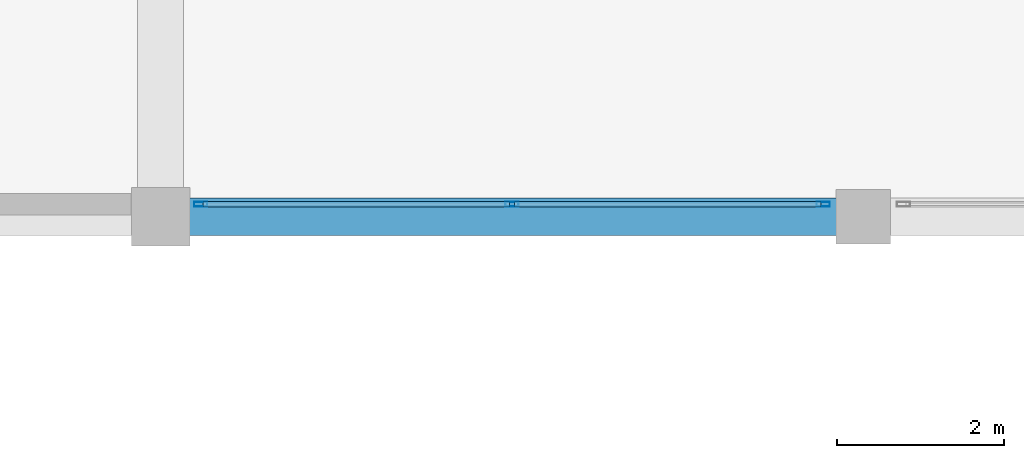
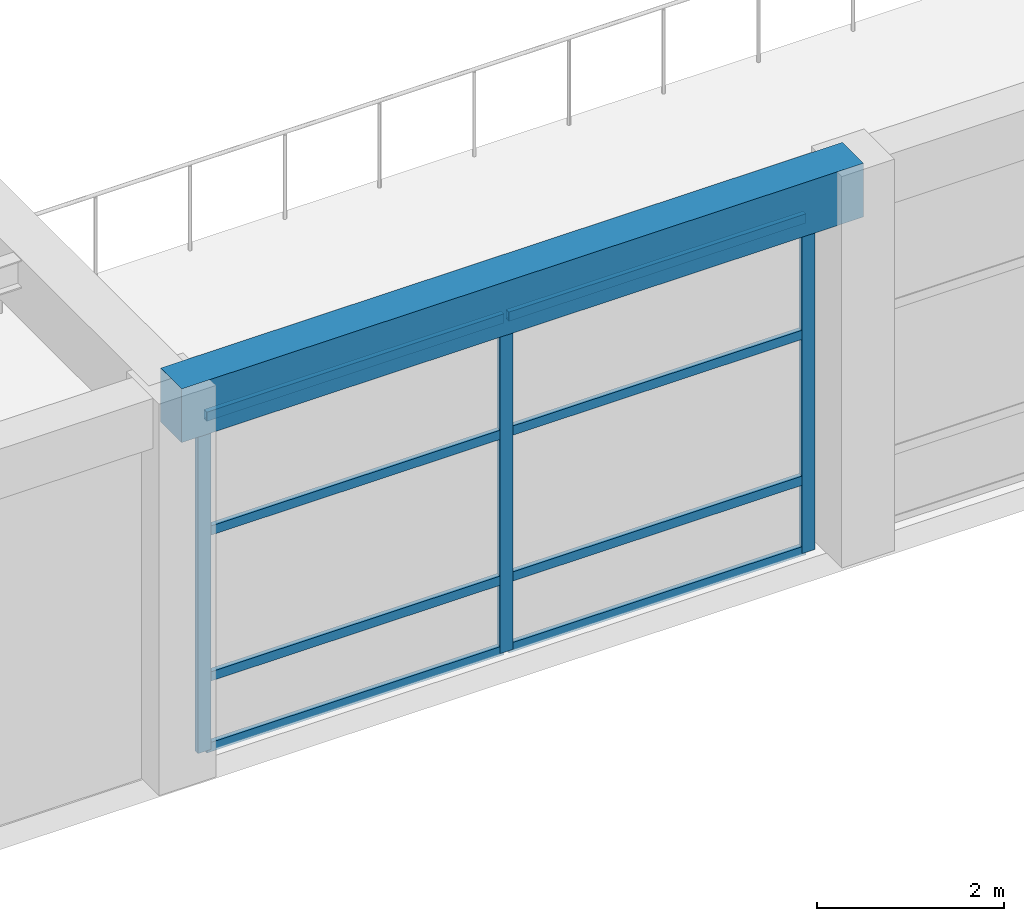
# One storey, part 23 of 95: 11 members, 1 beam, 1 element without a shape of its own.
"""IFC4 building model written with IfcOpenShell, lengths in metres."""

from ifc_helpers import new_model, si_unit, direction, frame, origin, origin_2d, place, context, subcontext, project, spatial, rectangle, hollow_rectangle, extrude, material, material_profile, profile_set, type_object, element, aggregate, save


model = new_model("IFC4")

# Units and contexts
model_context = context("Model", 3, precision=1e-05, world=origin(), true_north=direction((0.0, 1.0)))
body_context = subcontext(model_context, "Body", "Model", "MODEL_VIEW")
ifc_project = project(units=[si_unit("LENGTHUNIT", "METRE"), si_unit("AREAUNIT", "SQUARE_METRE"), si_unit("VOLUMEUNIT", "CUBIC_METRE"), si_unit("PLANEANGLEUNIT", "RADIAN"), si_unit("MASSUNIT", "GRAM", prefix="KILO")], contexts=[model_context])

# Site, building, storey
site_placement = place(None, origin())
site = spatial("IfcSite", under=ifc_project, at=site_placement, CompositionType="ELEMENT")
building_placement = place(site_placement, origin())
building = spatial("IfcBuilding", under=site, at=building_placement, Name="Almacenes y Pasaje Nevantli", CompositionType="ELEMENT")
storey_placement = place(building_placement, frame((0.0, 0.0, 11.39990234375)))
storey = spatial("IfcBuildingStorey", under=building, at=storey_placement, Name="L03", CompositionType="ELEMENT", Elevation=11.39990234375)

# Beam
ifc_material_1 = material(Name="Concrete C35/45", Category="concrete")
ifc_material_profile_1 = material_profile(ifc_material_1, rectangle(XDim=0.449951171875, YDim=0.699951171875, at=origin_2d()), Name="RC-BM-450x700")
ifc_profile_set_1 = profile_set([ifc_material_profile_1], Name="Concrete C35/45")
beam_type = type_object("IfcBeamType", Name="BM-RC-450x700", PredefinedType="SPANDREL", material=ifc_profile_set_1)
beam_placement = place(storey_placement, frame((67.199951171875, 0.0, 4.75), z_axis=(1.0, 0.0, 0.0), x_axis=(0.0, 1.0, 0.0)))
element("IfcBeam", 1, at=beam_placement, inside=storey, type_object=beam_type, Name="L03 East-West Reinforced Concrete Beam #2242", PredefinedType="SPANDREL", context=body_context, shape_type="SweptSolid", body=[
    extrude(rectangle(XDim=0.449951171875, YDim=0.699951171875, at=origin_2d()), origin(), (0.0, 0.0, 1.0), 8.400146484375),
])

# Curtain wall, members
ifc_material_2 = material(Name="Thermally Broken Aluminium and Low-E Glass", Category="aluminium")
curtain_wall_type = type_object("IfcCurtainWallType", Name="CW-STF-ARCADE", PredefinedType="USERDEFINED", material=ifc_material_2)
curtain_wall_placement = place(storey_placement, origin())
curtain_wall = element("IfcCurtainWall", 2, at=curtain_wall_placement, inside=storey, type_object=curtain_wall_type, Name="L03 South Arcade Portal Curtain Wall Bay 9", ObjectType="STOREFRONT GLAZING", PredefinedType="USERDEFINED")
ifc_material_3 = material(Name="Thermally Broken Anodized Aluminium", Category="aluminium")
ifc_material_profile_2 = material_profile(ifc_material_3, hollow_rectangle(XDim=0.06005859375, YDim=0.159912109375, WallThickness=0.00390625, at=origin_2d()), Name="ALU-MUL-60x160")
ifc_profile_set_2 = profile_set([ifc_material_profile_2], Name="Thermally Broken Anodized Aluminium")
member_type_1 = type_object("IfcMemberType", Name="CW-MUL-180", PredefinedType="MULLION", material=ifc_profile_set_2)
member_1_placement = place(storey_placement, frame((67.679931640625, 0.14990234375, 0.0), z_axis=(0.0, 0.0, 1.0), x_axis=(0.0, 1.0, 0.0)))
member_1 = element("IfcMember", 3, at=member_1_placement, type_object=member_type_1, Name="CW-L03-045 mullion 1", PredefinedType="MULLION", context=body_context, shape_type="SweptSolid", body=[
    extrude(hollow_rectangle(XDim=0.06005859375, YDim=0.159912109375, WallThickness=0.00390625, at=origin_2d()), origin(), (0.0, 0.0, 1.0), 4.380126953125),
])
member_2_placement = place(storey_placement, frame((71.39990234375, 0.14990234375, 0.0), z_axis=(0.0, 0.0, 1.0), x_axis=(0.0, 1.0, 0.0)))
member_2 = element("IfcMember", 4, at=member_2_placement, type_object=member_type_1, Name="CW-L03-045 mullion 2", PredefinedType="MULLION", context=body_context, shape_type="SweptSolid", body=[
    extrude(hollow_rectangle(XDim=0.06005859375, YDim=0.159912109375, WallThickness=0.00390625, at=origin_2d()), origin(), (0.0, 0.0, 1.0), 4.380126953125),
])
member_3_placement = place(storey_placement, frame((75.1201171875, 0.14990234375, 0.0), z_axis=(0.0, 0.0, 1.0), x_axis=(0.0, 1.0, 0.0)))
member_3 = element("IfcMember", 5, at=member_3_placement, type_object=member_type_1, Name="CW-L03-045 mullion 3", PredefinedType="MULLION", context=body_context, shape_type="SweptSolid", body=[
    extrude(hollow_rectangle(XDim=0.06005859375, YDim=0.159912109375, WallThickness=0.00390625, at=origin_2d()), origin(), (0.0, 0.0, 1.0), 4.380126953125),
])
ifc_material_4 = material(Name="Thermally Broken Anodized Aluminium", Category="aluminium")
ifc_material_profile_3 = material_profile(ifc_material_4, hollow_rectangle(XDim=0.06005859375, YDim=0.1201171875, WallThickness=0.00341796875, at=origin_2d()), Name="ALU-TRN-60x120")
ifc_profile_set_3 = profile_set([ifc_material_profile_3], Name="Thermally Broken Anodized Aluminium")
member_type_2 = type_object("IfcMemberType", Name="CW-TRN-130", PredefinedType="USERDEFINED", material=ifc_profile_set_3)
member_4_placement = place(storey_placement, frame((67.7099609375, 0.14990234375, 0.030029296875), z_axis=(1.0, 0.0, 0.0), x_axis=(0.0, 1.0, 0.0)))
member_4 = element("IfcMember", 6, at=member_4_placement, type_object=member_type_2, Name="CW-L03-045 transom 1.1", ObjectType="TRANSOM", PredefinedType="USERDEFINED", context=body_context, shape_type="SweptSolid", body=[
    extrude(hollow_rectangle(XDim=0.06005859375, YDim=0.1201171875, WallThickness=0.00341796875, at=origin_2d()), origin(), (0.0, 0.0, 1.0), 3.66015625),
])
member_5_placement = place(storey_placement, frame((67.7099609375, 0.14990234375, 0.9501953125), z_axis=(1.0, 0.0, 0.0), x_axis=(0.0, 1.0, 0.0)))
member_5 = element("IfcMember", 7, at=member_5_placement, type_object=member_type_2, Name="CW-L03-045 transom 1.2", ObjectType="TRANSOM", PredefinedType="USERDEFINED", context=body_context, shape_type="SweptSolid", body=[
    extrude(hollow_rectangle(XDim=0.06005859375, YDim=0.1201171875, WallThickness=0.00341796875, at=origin_2d()), origin(), (0.0, 0.0, 1.0), 3.66015625),
])
member_6_placement = place(storey_placement, frame((67.7099609375, 0.14990234375, 2.85009765625), z_axis=(1.0, 0.0, 0.0), x_axis=(0.0, 1.0, 0.0)))
member_6 = element("IfcMember", 8, at=member_6_placement, type_object=member_type_2, Name="CW-L03-045 transom 1.3", ObjectType="TRANSOM", PredefinedType="USERDEFINED", context=body_context, shape_type="SweptSolid", body=[
    extrude(hollow_rectangle(XDim=0.06005859375, YDim=0.1201171875, WallThickness=0.00341796875, at=origin_2d()), origin(), (0.0, 0.0, 1.0), 3.66015625),
])
member_7_placement = place(storey_placement, frame((67.7099609375, 0.14990234375, 4.35009765625), z_axis=(1.0, 0.0, 0.0), x_axis=(0.0, 1.0, 0.0)))
member_7 = element("IfcMember", 9, at=member_7_placement, type_object=member_type_2, Name="CW-L03-045 transom 1.4", ObjectType="TRANSOM", PredefinedType="USERDEFINED", context=body_context, shape_type="SweptSolid", body=[
    extrude(hollow_rectangle(XDim=0.06005859375, YDim=0.1201171875, WallThickness=0.00341796875, at=origin_2d()), origin(), (0.0, 0.0, 1.0), 3.66015625),
])
member_8_placement = place(storey_placement, frame((71.429931640625, 0.14990234375, 0.030029296875), z_axis=(1.0, 0.0, 0.0), x_axis=(0.0, 1.0, 0.0)))
member_8 = element("IfcMember", 10, at=member_8_placement, type_object=member_type_2, Name="CW-L03-045 transom 2.1", ObjectType="TRANSOM", PredefinedType="USERDEFINED", context=body_context, shape_type="SweptSolid", body=[
    extrude(hollow_rectangle(XDim=0.06005859375, YDim=0.1201171875, WallThickness=0.00341796875, at=origin_2d()), origin(), (0.0, 0.0, 1.0), 3.66015625),
])
member_9_placement = place(storey_placement, frame((71.429931640625, 0.14990234375, 0.9501953125), z_axis=(1.0, 0.0, 0.0), x_axis=(0.0, 1.0, 0.0)))
member_9 = element("IfcMember", 11, at=member_9_placement, type_object=member_type_2, Name="CW-L03-045 transom 2.2", ObjectType="TRANSOM", PredefinedType="USERDEFINED", context=body_context, shape_type="SweptSolid", body=[
    extrude(hollow_rectangle(XDim=0.06005859375, YDim=0.1201171875, WallThickness=0.00341796875, at=origin_2d()), origin(), (0.0, 0.0, 1.0), 3.66015625),
])
member_10_placement = place(storey_placement, frame((71.429931640625, 0.14990234375, 2.85009765625), z_axis=(1.0, 0.0, 0.0), x_axis=(0.0, 1.0, 0.0)))
member_10 = element("IfcMember", 12, at=member_10_placement, type_object=member_type_2, Name="CW-L03-045 transom 2.3", ObjectType="TRANSOM", PredefinedType="USERDEFINED", context=body_context, shape_type="SweptSolid", body=[
    extrude(hollow_rectangle(XDim=0.06005859375, YDim=0.1201171875, WallThickness=0.00341796875, at=origin_2d()), origin(), (0.0, 0.0, 1.0), 3.66015625),
])
member_11_placement = place(storey_placement, frame((71.429931640625, 0.14990234375, 4.35009765625), z_axis=(1.0, 0.0, 0.0), x_axis=(0.0, 1.0, 0.0)))
member_11 = element("IfcMember", 13, at=member_11_placement, type_object=member_type_2, Name="CW-L03-045 transom 2.4", ObjectType="TRANSOM", PredefinedType="USERDEFINED", context=body_context, shape_type="SweptSolid", body=[
    extrude(hollow_rectangle(XDim=0.06005859375, YDim=0.1201171875, WallThickness=0.00341796875, at=origin_2d()), origin(), (0.0, 0.0, 1.0), 3.66015625),
])
aggregate(curtain_wall, [member_1, member_2, member_3, member_4, member_5, member_6, member_7, member_8, member_9, member_10, member_11])

save(model, "model.ifc")
